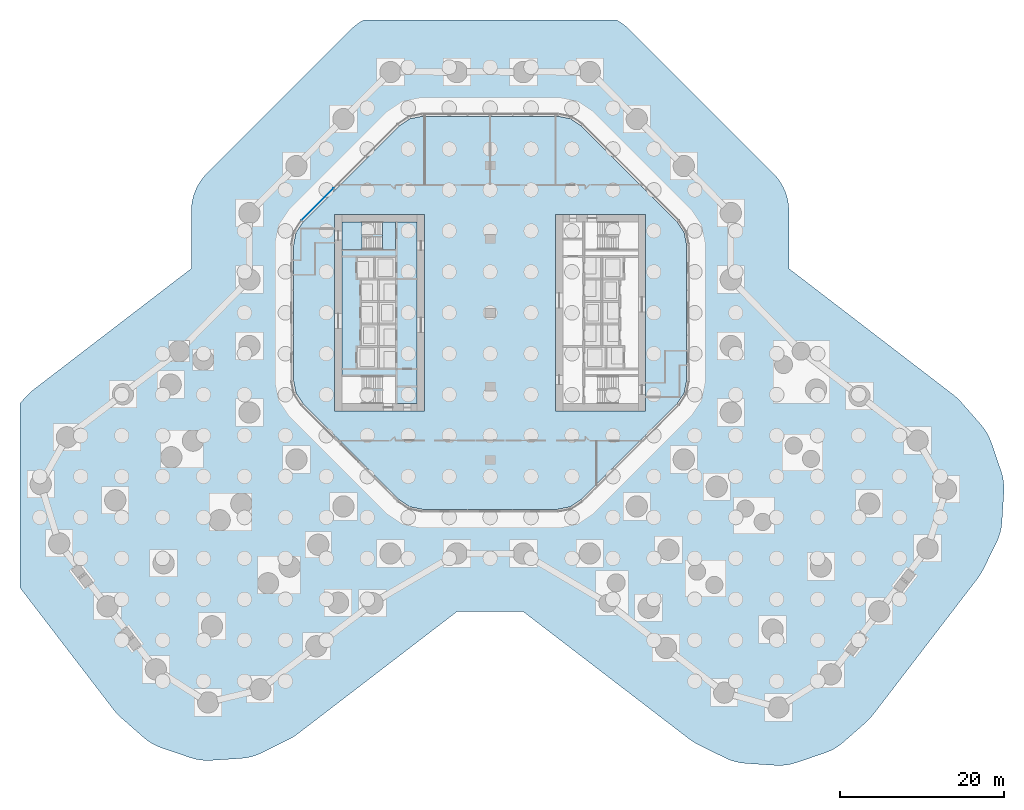
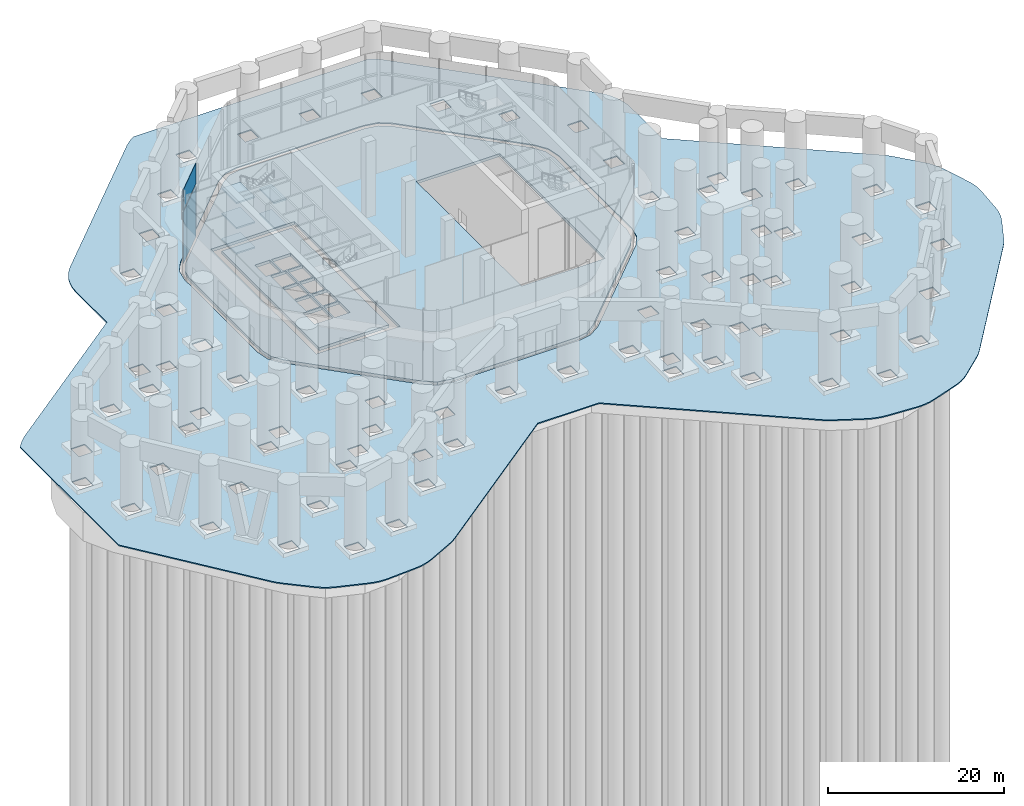
# One storey, part 20 of 31: 8 slabs, 2 plates, 2 elements without a shape of their own.
"""IFC4 building model written with IfcOpenShell, lengths in metres."""

from ifc_helpers import new_model, si_unit, direction, frame, origin, origin_2d, place, context, subcontext, project, spatial, polyline, rectangle, outline, extrude, material, layer, layer_set, type_object, element, aggregate, save


model = new_model("IFC4")

# Units and contexts
model_context = context("Model", 3, precision=1e-05, world=origin(), true_north=direction((0.0, 1.0)))
body_context = subcontext(model_context, "Body", "Model", "MODEL_VIEW")
ifc_project = project(units=[si_unit("LENGTHUNIT", "METRE"), si_unit("AREAUNIT", "SQUARE_METRE"), si_unit("VOLUMEUNIT", "CUBIC_METRE"), si_unit("PLANEANGLEUNIT", "RADIAN"), si_unit("MASSUNIT", "GRAM", prefix="KILO")], contexts=[model_context])

# Site, building, storey
site_placement = place(None, origin())
site = spatial("IfcSite", under=ifc_project, at=site_placement, CompositionType="ELEMENT")
building_placement = place(site_placement, origin())
building = spatial("IfcBuilding", under=site, at=building_placement, Name="Orlundy Tower", CompositionType="ELEMENT")
storey_placement = place(building_placement, origin())
storey = spatial("IfcBuildingStorey", under=building, at=storey_placement, Name="L00", CompositionType="ELEMENT", Elevation=0.0)

# Curtain wall, plates
ifc_material_1 = material(Name="Aluminium bronze anodised", Category="aluminium")
curtain_wall_type = type_object("IfcCurtainWallType", Name="CW3 wall", PredefinedType="NOTDEFINED", material=ifc_material_1)
curtain_wall_placement = place(storey_placement, origin())
curtain_wall = element("IfcCurtainWall", 1, at=curtain_wall_placement, inside=storey, type_object=curtain_wall_type, Name="CW3 run 08", PredefinedType="NOTDEFINED")
ifc_material_2 = material(Name="Tinted glass", Category="glass")
ifc_layer_1 = layer(ifc_material_2, 0.02490234375)
ifc_layer_set_1 = layer_set([ifc_layer_1], Name="CW3 glass panel 25")
plate_type = type_object("IfcPlateType", Name="CW3 glass panel 25", PredefinedType="CURTAIN_PANEL", material=ifc_layer_set_1)
plate_1_placement = place(storey_placement, frame((-21.08203125, 13.2646484375, -0.2001953125), z_axis=(0.0, 0.0, 1.0), x_axis=(0.707106781187, 0.707106781187, 0.0)))
plate_1 = element("IfcPlate", 2, at=plate_1_placement, type_object=plate_type, Name="CW3 panel", PredefinedType="CURTAIN_PANEL", context=body_context, shape_type="SweptSolid", body=[
    extrude(rectangle(XDim=5.513427734375, YDim=0.02490234375, at=origin_2d()), origin(), (0.0, 0.0, 1.0), 7.199951171875),
])
plate_2_placement = place(storey_placement, frame((-21.08203125, 13.2646484375, 7.199951171875), z_axis=(0.0, 0.0, 1.0), x_axis=(0.707106781187, 0.707106781187, 0.0)))
plate_2 = element("IfcPlate", 3, at=plate_2_placement, type_object=plate_type, Name="CW3 panel", PredefinedType="CURTAIN_PANEL", context=body_context, shape_type="SweptSolid", body=[
    extrude(rectangle(XDim=5.513427734375, YDim=0.02490234375, at=origin_2d()), origin(), (0.0, 0.0, 1.0), 2.89990234375),
])
aggregate(curtain_wall, [plate_1, plate_2])

# Slab
ifc_material_3 = material(Name="Concrete C50/60", Category="concrete")
ifc_layer_2 = layer(ifc_material_3, 0.409912109375)
ifc_layer_set_2 = layer_set([ifc_layer_2], Name="Core Floor Slab 410")
slab_type_1 = type_object("IfcSlabType", Name="Core Floor Slab 410", PredefinedType="FLOOR", material=ifc_layer_set_2)
slab_1_placement = place(storey_placement, frame((0.0, 0.0, -0.409912109375)))
element("IfcSlab", 4, at=slab_1_placement, inside=storey, type_object=slab_type_1, Name="Core floor W01", PredefinedType="FLOOR", context=body_context, shape_type="SweptSolid", body=[
    extrude(outline(polyline([(-18.10009765625, 11.10009765625), (-8.89990234375, 11.10009765625), (-8.89990234375, -11.10009765625), (-18.10009765625, -11.10009765625), (-18.10009765625, 11.10009765625)]), holes=[polyline([(-13.5400390625, -4.22509765625), (-13.5400390625, -6.77490234375), (-11.5400390625, -6.77490234375), (-11.5400390625, -4.22509765625), (-13.5400390625, -4.22509765625)]), polyline([(-13.739990234375, -4.22509765625), (-16.239990234375, -4.22509765625), (-16.239990234375, -6.77490234375), (-13.739990234375, -6.77490234375), (-13.739990234375, -4.22509765625)]), polyline([(-11.5400390625, -4.02490234375), (-11.5400390625, -1.47509765625), (-13.5400390625, -1.47509765625), (-13.5400390625, -4.02490234375), (-11.5400390625, -4.02490234375)]), polyline([(-15.739990234375, -4.02490234375), (-13.739990234375, -4.02490234375), (-13.739990234375, -1.47509765625), (-15.739990234375, -1.47509765625), (-15.739990234375, -4.02490234375)]), polyline([(-13.5400390625, 1.27490234375), (-13.5400390625, -1.27490234375), (-11.5400390625, -1.27490234375), (-11.5400390625, 1.27490234375), (-13.5400390625, 1.27490234375)]), polyline([(-13.739990234375, 1.27490234375), (-15.739990234375, 1.27490234375), (-15.739990234375, -1.27490234375), (-13.739990234375, -1.27490234375), (-13.739990234375, 1.27490234375)]), polyline([(-11.5400390625, 1.47509765625), (-11.5400390625, 4.02490234375), (-13.5400390625, 4.02490234375), (-13.5400390625, 1.47509765625), (-11.5400390625, 1.47509765625)]), polyline([(-15.739990234375, 1.47509765625), (-13.739990234375, 1.47509765625), (-13.739990234375, 4.02490234375), (-15.739990234375, 4.02490234375), (-15.739990234375, 1.47509765625)]), polyline([(-14.0400390625, 6.77490234375), (-14.0400390625, 4.22509765625), (-11.5400390625, 4.22509765625), (-11.5400390625, 6.77490234375), (-14.0400390625, 6.77490234375)]), polyline([(-14.239990234375, 6.77490234375), (-16.239990234375, 6.77490234375), (-16.239990234375, 4.22509765625), (-14.239990234375, 4.22509765625), (-14.239990234375, 6.77490234375)])]), origin(), (0.0, 0.0, 1.0), 0.409912109375),
])

# Stair, slabs
ifc_material_4 = material(Name="Concrete C50/60", Category="concrete")
stair_type = type_object("IfcStairType", Name="Exit Stair 60 risers", PredefinedType="HALF_TURN_STAIR", material=ifc_material_4)
stair_placement = place(storey_placement, origin())
stair = element("IfcStair", 5, at=stair_placement, inside=storey, type_object=stair_type, Name="L00 Exit Stair ST-W1", PredefinedType="HALF_TURN_STAIR")
ifc_material_5 = material(Name="Concrete C50/60", Category="concrete")
ifc_layer_3 = layer(ifc_material_5, 0.199951171875)
ifc_layer_set_3 = layer_set([ifc_layer_3], Name="Exit Stair Landing")
slab_type_2 = type_object("IfcSlabType", Name="Exit Stair Landing", PredefinedType="LANDING", material=ifc_layer_set_3)
slab_2_placement = place(storey_placement, frame((0.0, 0.0, 1.550048828125)))
slab_2 = element("IfcSlab", 6, at=slab_2_placement, type_object=slab_type_2, Name="ST-W1 landing 1", PredefinedType="LANDING", context=body_context, shape_type="SweptSolid", body=[
    extrude(outline(polyline([(-15.659912109375, 11.10009765625), (-18.10009765625, 11.10009765625), (-18.10009765625, 7.75), (-15.659912109375, 7.75), (-15.659912109375, 11.10009765625)])), origin(), (0.0, 0.0, 1.0), 0.199951171875),
])
slab_3_placement = place(storey_placement, frame((0.0, 0.0, 3.300048828125)))
slab_3 = element("IfcSlab", 7, at=slab_3_placement, type_object=slab_type_2, Name="ST-W1 landing 2", PredefinedType="LANDING", context=body_context, shape_type="SweptSolid", body=[
    extrude(outline(polyline([(-11.5400390625, 11.10009765625), (-13.139892578125, 11.10009765625), (-13.139892578125, 7.75), (-11.5400390625, 7.75), (-11.5400390625, 11.10009765625)])), origin(), (0.0, 0.0, 1.0), 0.199951171875),
])
slab_4_placement = place(storey_placement, frame((0.0, 0.0, 5.050048828125)))
slab_4 = element("IfcSlab", 8, at=slab_4_placement, type_object=slab_type_2, Name="ST-W1 landing 3", PredefinedType="LANDING", context=body_context, shape_type="SweptSolid", body=[
    extrude(outline(polyline([(-15.659912109375, 11.10009765625), (-18.10009765625, 11.10009765625), (-18.10009765625, 7.75), (-15.659912109375, 7.75), (-15.659912109375, 11.10009765625)])), origin(), (0.0, 0.0, 1.0), 0.199951171875),
])
slab_5_placement = place(storey_placement, frame((0.0, 0.0, 6.800048828125)))
slab_5 = element("IfcSlab", 9, at=slab_5_placement, type_object=slab_type_2, Name="ST-W1 landing 4", PredefinedType="LANDING", context=body_context, shape_type="SweptSolid", body=[
    extrude(outline(polyline([(-11.5400390625, 11.10009765625), (-13.139892578125, 11.10009765625), (-13.139892578125, 7.75), (-11.5400390625, 7.75), (-11.5400390625, 11.10009765625)])), origin(), (0.0, 0.0, 1.0), 0.199951171875),
])
slab_6_placement = place(storey_placement, frame((0.0, 0.0, 8.550048828125)))
slab_6 = element("IfcSlab", 10, at=slab_6_placement, type_object=slab_type_2, Name="ST-W1 landing 5", PredefinedType="LANDING", context=body_context, shape_type="SweptSolid", body=[
    extrude(outline(polyline([(-15.659912109375, 11.10009765625), (-18.10009765625, 11.10009765625), (-18.10009765625, 7.75), (-15.659912109375, 7.75), (-15.659912109375, 11.10009765625)])), origin(), (0.0, 0.0, 1.0), 0.199951171875),
])
aggregate(stair, [slab_2, slab_3, slab_4, slab_5, slab_6])

# Slabs
ifc_material_6 = material(Name="Concrete C45/55", Category="concrete")
ifc_layer_4 = layer(ifc_material_6, 0.39990234375)
ifc_layer_set_4 = layer_set([ifc_layer_4], Name="GROUND SLAB 400 C45/55")
slab_type_3 = type_object("IfcSlabType", Name="GROUND SLAB 400 C45/55", PredefinedType="BASESLAB", material=ifc_layer_set_4)
slab_7_placement = place(storey_placement, frame((0.0, 0.0, -0.39990234375)))
element("IfcSlab", 11, at=slab_7_placement, inside=storey, type_object=slab_type_3, Name="Floor slab L00", PredefinedType="BASESLAB", context=body_context, shape_type="SweptSolid", body=[
    extrude(outline(polyline([(-9.81494140625, -23.696044921875), (-11.112060546875, -22.827880859375), (-22.827880859375, -11.112060546875), (-23.696044921875, -9.81494140625), (-24.0, -8.283935546875), (-24.0, 8.283935546875), (-23.696044921875, 9.81494140625), (-22.827880859375, 11.112060546875), (-11.112060546875, 22.827880859375), (-9.81494140625, 23.696044921875), (-8.283935546875, 24.0), (8.283935546875, 24.0), (9.81494140625, 23.696044921875), (11.112060546875, 22.827880859375), (22.827880859375, 11.112060546875), (23.696044921875, 9.81494140625), (24.0, 8.283935546875), (24.0, -8.283935546875), (23.696044921875, -9.81494140625), (22.827880859375, -11.112060546875), (11.112060546875, -22.827880859375), (9.81494140625, -23.696044921875), (8.283935546875, -24.0), (-8.283935546875, -24.0), (-9.81494140625, -23.696044921875)]), holes=[polyline([(-8.0, -12.0), (-8.0, 12.0), (-19.0, 12.0), (-19.0, -12.0), (-8.0, -12.0)]), polyline([(19.0, -12.0), (19.0, 12.0), (8.0, 12.0), (8.0, -12.0), (19.0, -12.0)])]), origin(), (0.0, 0.0, 1.0), 0.39990234375),
])
ifc_material_7 = material(Name="Granite paving", Category="masonry")
ifc_layer_5 = layer(ifc_material_7, 0.14990234375)
ifc_layer_set_5 = layer_set([ifc_layer_5], Name="PAVING plaza")
slab_type_4 = type_object("IfcSlabType", Name="PAVING plaza", PredefinedType="USERDEFINED", material=ifc_layer_set_5)
slab_8_placement = place(storey_placement, frame((0.0, 0.0, -0.14990234375)))
element("IfcSlab", 12, at=slab_8_placement, inside=storey, type_object=slab_type_4, Name="PAVING plaza", ObjectType="PAVING", PredefinedType="USERDEFINED", context=body_context, shape_type="SweptSolid", body=[
    extrude(outline(polyline([(-24.05908203125, -51.824951171875), (-24.616943359375, -52.134033203125), (-27.94189453125, -53.77392578125), (-28.527099609375, -54.028076171875), (-29.135009765625, -54.22412109375), (-29.759033203125, -54.35791015625), (-30.39306640625, -54.430908203125), (-34.092041015625, -54.673095703125), (-34.72900390625, -54.68408203125), (-35.364013671875, -54.631103515625), (-35.991943359375, -54.51708984375), (-36.60498046875, -54.342041015625), (-40.114990234375, -53.15087890625), (-40.7080078125, -52.9169921875), (-41.27587890625, -52.625), (-41.81201171875, -52.280029296875), (-42.31201171875, -51.883056640625), (-45.09912109375, -49.43896484375), (-45.556884765625, -48.9951171875), (-45.969970703125, -48.509033203125), (-57.419921875, -33.5869140625), (-57.419921875, -11.072021484375), (-56.72998046875, -10.284912109375), (-56.285888671875, -9.826904296875), (-55.800048828125, -9.4140625), (-36.5, 5.39501953125), (-36.5, 12.426025390625), (-36.468994140625, 13.06298828125), (-36.375, 13.694091796875), (-36.219970703125, 14.31298828125), (-36.0048828125, 14.9130859375), (-35.73193359375, 15.489990234375), (-35.405029296875, 16.037109375), (-35.02490234375, 16.550048828125), (-34.595947265625, 17.02197265625), (-17.02197265625, 34.595947265625), (-16.550048828125, 35.02490234375), (-16.037109375, 35.405029296875), (-15.489990234375, 35.73193359375), (-15.430908203125, 35.760009765625), (15.430908203125, 35.760009765625), (15.489990234375, 35.73193359375), (16.037109375, 35.405029296875), (16.550048828125, 35.02490234375), (17.02197265625, 34.595947265625), (34.595947265625, 17.02197265625), (35.02490234375, 16.550048828125), (35.405029296875, 16.037109375), (35.73193359375, 15.489990234375), (36.0048828125, 14.9130859375), (36.219970703125, 14.31298828125), (36.375, 13.694091796875), (36.468994140625, 13.06298828125), (36.5, 12.426025390625), (36.5, 5.39501953125), (56.593017578125, -10.02294921875), (57.0791015625, -10.43603515625), (57.52294921875, -10.89404296875), (59.967041015625, -13.680908203125), (60.363037109375, -14.180908203125), (60.708984375, -14.717041015625), (61.0, -15.283935546875), (61.235107421875, -15.876953125), (62.427001953125, -19.386962890625), (62.60205078125, -20.0009765625), (62.716064453125, -20.62890625), (62.76904296875, -21.264892578125), (62.758056640625, -21.903076171875), (62.514892578125, -25.60107421875), (62.44189453125, -26.23388671875), (62.30810546875, -26.85693359375), (62.113037109375, -27.464111328125), (61.85888671875, -28.049072265625), (60.219970703125, -31.3740234375), (59.909912109375, -31.931884765625), (59.547119140625, -32.45703125), (46.762939453125, -49.116943359375), (46.35009765625, -49.60302734375), (45.89208984375, -50.047119140625), (43.10498046875, -52.490966796875), (42.60498046875, -52.886962890625), (42.069091796875, -53.23291015625), (41.501953125, -53.52392578125), (40.908935546875, -53.759033203125), (37.39892578125, -54.950927734375), (36.784912109375, -55.1259765625), (36.156982421875, -55.239990234375), (35.52099609375, -55.29296875), (34.883056640625, -55.281982421875), (31.18408203125, -55.0390625), (30.551025390625, -54.966064453125), (29.927001953125, -54.8310546875), (29.320068359375, -54.635986328125), (28.735107421875, -54.383056640625), (25.410888671875, -52.743896484375), (24.85400390625, -52.43408203125), (24.3291015625, -52.071044921875), (4.037109375, -36.5), (-4.037109375, -36.5), (-23.534912109375, -51.4619140625), (-24.05908203125, -51.824951171875)]), holes=[polyline([(-33.537109375, -48.491943359375), (-33.537109375, -46.69189453125), (-35.3369140625, -46.69189453125), (-35.3369140625, -48.491943359375), (-33.537109375, -48.491943359375)]), polyline([(-27.172119140625, -46.887939453125), (-27.172119140625, -45.087890625), (-28.971923828125, -45.087890625), (-28.971923828125, -46.887939453125), (-27.172119140625, -46.887939453125)]), polyline([(-39.924072265625, -44.451904296875), (-39.924072265625, -42.652099609375), (-41.72412109375, -42.652099609375), (-41.72412109375, -44.451904296875), (-39.924072265625, -44.451904296875)]), polyline([(-22.1201171875, -41.635986328125), (-20.320068359375, -41.635986328125), (-20.320068359375, -39.8359375), (-22.1201171875, -39.8359375), (-22.1201171875, -41.635986328125)]), polyline([(-34.8740234375, -39.196044921875), (-33.073974609375, -39.196044921875), (-33.073974609375, -37.39599609375), (-34.8740234375, -37.39599609375), (-34.8740234375, -39.196044921875)]), polyline([(-45.8291015625, -36.756103515625), (-45.8291015625, -34.9560546875), (-47.62890625, -34.9560546875), (-47.62890625, -36.756103515625), (-45.8291015625, -36.756103515625)]), polyline([(-26.22509765625, -33.93994140625), (-26.22509765625, -32.139892578125), (-28.02490234375, -32.139892578125), (-28.02490234375, -33.93994140625), (-26.22509765625, -33.93994140625)]), polyline([(-23.580078125, -31.910888671875), (-23.580078125, -30.111083984375), (-25.3798828125, -30.111083984375), (-25.3798828125, -31.910888671875), (-23.580078125, -31.910888671875)]), polyline([(-40.779052734375, -31.5), (-38.97900390625, -31.5), (-38.97900390625, -29.699951171875), (-40.779052734375, -29.699951171875), (-40.779052734375, -31.5)]), polyline([(-21.889892578125, -29.23291015625), (-20.090087890625, -29.23291015625), (-20.090087890625, -27.43310546875), (-21.889892578125, -27.43310546875), (-21.889892578125, -29.23291015625)]), polyline([(-51.73291015625, -29.06103515625), (-51.73291015625, -27.260986328125), (-53.532958984375, -27.260986328125), (-53.532958984375, -29.06103515625), (-51.73291015625, -29.06103515625)]), polyline([(-32.1298828125, -26.2451171875), (-32.1298828125, -24.445068359375), (-33.929931640625, -24.445068359375), (-33.929931640625, -26.2451171875), (-32.1298828125, -26.2451171875)]), polyline([(-29.485107421875, -24.216064453125), (-29.485107421875, -22.416015625), (-31.284912109375, -22.416015625), (-31.284912109375, -24.216064453125), (-29.485107421875, -24.216064453125)]), polyline([(-46.68408203125, -23.804931640625), (-44.884033203125, -23.804931640625), (-44.884033203125, -22.0048828125), (-46.68408203125, -22.0048828125), (-46.68408203125, -23.804931640625)]), polyline([(-55.783935546875, -21.845947265625), (-53.98388671875, -21.845947265625), (-53.98388671875, -20.0458984375), (-55.783935546875, -20.0458984375), (-55.783935546875, -21.845947265625)]), polyline([(-22.759033203125, -18.819091796875), (-22.759033203125, -17.01904296875), (-24.55908203125, -17.01904296875), (-24.55908203125, -18.819091796875), (-22.759033203125, -18.819091796875)]), polyline([(-38.034912109375, -18.549072265625), (-38.034912109375, -16.7490234375), (-39.8349609375, -16.7490234375), (-39.8349609375, -18.549072265625), (-38.034912109375, -18.549072265625)]), polyline([(-35.389892578125, -16.52001953125), (-35.389892578125, -14.719970703125), (-37.18994140625, -14.719970703125), (-37.18994140625, -16.52001953125), (-35.389892578125, -16.52001953125)]), polyline([(-52.5869140625, -16.112060546875), (-50.787109375, -16.112060546875), (-50.787109375, -14.31201171875), (-52.5869140625, -14.31201171875), (-52.5869140625, -16.112060546875)]), polyline([(-30.300048828125, -13.077880859375), (-28.5, -13.077880859375), (-28.5, -11.278076171875), (-30.300048828125, -11.278076171875), (-30.300048828125, -13.077880859375)]), polyline([(-43.93994140625, -10.85400390625), (-43.93994140625, -9.053955078125), (-45.739990234375, -9.053955078125), (-45.739990234375, -10.85400390625), (-43.93994140625, -10.85400390625)]), polyline([(-38.115966796875, -9.6708984375), (-38.115966796875, -7.87109375), (-39.916015625, -7.87109375), (-39.916015625, -9.6708984375), (-38.115966796875, -9.6708984375)]), polyline([(-34.14990234375, -6.626953125), (-34.14990234375, -4.826904296875), (-35.949951171875, -4.826904296875), (-35.949951171875, -6.626953125), (-34.14990234375, -6.626953125)]), polyline([(-38.89111328125, -5.597900390625), (-37.091064453125, -5.597900390625), (-37.091064453125, -3.798095703125), (-38.89111328125, -3.798095703125), (-38.89111328125, -5.597900390625)]), polyline([(-30.300048828125, -4.958984375), (-28.5, -4.958984375), (-28.5, -3.158935546875), (-30.300048828125, -3.158935546875), (-30.300048828125, -4.958984375)]), polyline([(-28.5, 3.158935546875), (-28.5, 4.958984375), (-30.300048828125, 4.958984375), (-30.300048828125, 3.158935546875), (-28.5, 3.158935546875)]), polyline([(-28.5, 11.278076171875), (-28.5, 13.077880859375), (-30.300048828125, 13.077880859375), (-30.300048828125, 11.278076171875), (-28.5, 11.278076171875)]), polyline([(-22.759033203125, 17.01904296875), (-22.759033203125, 18.819091796875), (-24.55908203125, 18.819091796875), (-24.55908203125, 17.01904296875), (-22.759033203125, 17.01904296875)]), polyline([(20.583984375, -41.839111328125), (22.384033203125, -41.839111328125), (22.384033203125, -40.0390625), (20.583984375, -40.0390625), (20.583984375, -41.839111328125)]), polyline([(18.464111328125, -36.926025390625), (20.263916015625, -36.926025390625), (20.263916015625, -35.1259765625), (18.464111328125, -35.1259765625), (18.464111328125, -36.926025390625)]), polyline([(-13.470947265625, -36.3798828125), (-13.470947265625, -34.580078125), (-15.27099609375, -34.580078125), (-15.27099609375, -36.3798828125), (-13.470947265625, -36.3798828125)]), polyline([(15.27099609375, -36.3798828125), (15.27099609375, -34.580078125), (13.470947265625, -34.580078125), (13.470947265625, -36.3798828125), (15.27099609375, -36.3798828125)]), polyline([(-17.669921875, -36.31689453125), (-17.669921875, -34.51708984375), (-19.469970703125, -34.51708984375), (-19.469970703125, -36.31689453125), (-17.669921875, -36.31689453125)]), polyline([(14.4970703125, -33.882080078125), (16.297119140625, -33.882080078125), (16.297119140625, -32.08203125), (14.4970703125, -32.08203125), (14.4970703125, -33.882080078125)]), polyline([(-13.077880859375, -30.300048828125), (-11.278076171875, -30.300048828125), (-11.278076171875, -28.5), (-13.077880859375, -28.5), (-13.077880859375, -30.300048828125)]), polyline([(-3.158935546875, -30.300048828125), (-3.158935546875, -28.5), (-4.958984375, -28.5), (-4.958984375, -30.300048828125), (-3.158935546875, -30.300048828125)]), polyline([(11.278076171875, -30.300048828125), (13.077880859375, -30.300048828125), (13.077880859375, -28.5), (11.278076171875, -28.5), (11.278076171875, -30.300048828125)]), polyline([(3.158935546875, -30.300048828125), (4.958984375, -30.300048828125), (4.958984375, -28.5), (3.158935546875, -28.5), (3.158935546875, -30.300048828125)]), polyline([(22.68310546875, -29.841064453125), (22.68310546875, -28.041015625), (20.883056640625, -28.041015625), (20.883056640625, -29.841064453125), (22.68310546875, -29.841064453125)]), polyline([(-18.819091796875, -24.55908203125), (-17.01904296875, -24.55908203125), (-17.01904296875, -22.759033203125), (-18.819091796875, -22.759033203125), (-18.819091796875, -24.55908203125)]), polyline([(17.01904296875, -24.55908203125), (18.819091796875, -24.55908203125), (18.819091796875, -22.759033203125), (17.01904296875, -22.759033203125), (17.01904296875, -24.55908203125)]), polyline([(24.55908203125, -18.819091796875), (24.55908203125, -17.01904296875), (22.759033203125, -17.01904296875), (22.759033203125, -18.819091796875), (24.55908203125, -18.819091796875)]), polyline([(-24.260986328125, -10.049072265625), (-23.2939453125, -11.4951171875), (-11.4951171875, -23.2939453125), (-10.049072265625, -24.260986328125), (-8.343017578125, -24.60009765625), (8.343017578125, -24.60009765625), (10.049072265625, -24.260986328125), (11.4951171875, -23.2939453125), (23.2939453125, -11.4951171875), (24.260986328125, -10.049072265625), (24.60009765625, -8.343017578125), (24.60009765625, 8.343017578125), (24.260986328125, 10.049072265625), (23.2939453125, 11.4951171875), (11.4951171875, 23.2939453125), (10.049072265625, 24.260986328125), (8.343017578125, 24.60009765625), (-8.343017578125, 24.60009765625), (-10.049072265625, 24.260986328125), (-11.4951171875, 23.2939453125), (-23.2939453125, 11.4951171875), (-24.260986328125, 10.049072265625), (-24.60009765625, 8.343017578125), (-24.60009765625, -8.343017578125), (-24.260986328125, -10.049072265625)]), polyline([(17.01904296875, 22.759033203125), (18.819091796875, 22.759033203125), (18.819091796875, 24.55908203125), (17.01904296875, 24.55908203125), (17.01904296875, 22.759033203125)]), polyline([(-17.01904296875, 22.759033203125), (-17.01904296875, 24.55908203125), (-18.819091796875, 24.55908203125), (-18.819091796875, 22.759033203125), (-17.01904296875, 22.759033203125)]), polyline([(4.958984375, 28.5), (4.958984375, 30.300048828125), (3.158935546875, 30.300048828125), (3.158935546875, 28.5), (4.958984375, 28.5)]), polyline([(13.077880859375, 28.5), (13.077880859375, 30.300048828125), (11.278076171875, 30.300048828125), (11.278076171875, 28.5), (13.077880859375, 28.5)]), polyline([(-4.958984375, 28.5), (-3.158935546875, 28.5), (-3.158935546875, 30.300048828125), (-4.958984375, 30.300048828125), (-4.958984375, 28.5)]), polyline([(-13.077880859375, 28.5), (-11.278076171875, 28.5), (-11.278076171875, 30.300048828125), (-13.077880859375, 30.300048828125), (-13.077880859375, 28.5)]), polyline([(36.131103515625, -49.10107421875), (36.131103515625, -47.301025390625), (34.3310546875, -47.301025390625), (34.3310546875, -49.10107421875), (36.131103515625, -49.10107421875)]), polyline([(29.498046875, -47.297119140625), (29.498046875, -45.4970703125), (27.697998046875, -45.4970703125), (27.697998046875, -47.297119140625), (29.498046875, -47.297119140625)]), polyline([(42.51708984375, -45.06005859375), (42.51708984375, -43.260009765625), (40.717041015625, -43.260009765625), (40.717041015625, -45.06005859375), (42.51708984375, -45.06005859375)]), polyline([(33.60302734375, -39.60205078125), (35.403076171875, -39.60205078125), (35.403076171875, -37.802001953125), (33.60302734375, -37.802001953125), (33.60302734375, -39.60205078125)]), polyline([(46.6220703125, -37.364990234375), (48.422119140625, -37.364990234375), (48.422119140625, -35.56494140625), (46.6220703125, -35.56494140625), (46.6220703125, -37.364990234375)]), polyline([(28.2890625, -34.14306640625), (28.2890625, -32.343017578125), (26.489013671875, -32.343017578125), (26.489013671875, -34.14306640625), (28.2890625, -34.14306640625)]), polyline([(26.174072265625, -32.52001953125), (26.174072265625, -30.719970703125), (24.3740234375, -30.719970703125), (24.3740234375, -32.52001953125), (26.174072265625, -32.52001953125)]), polyline([(41.30810546875, -31.906005859375), (41.30810546875, -30.10595703125), (39.508056640625, -30.10595703125), (39.508056640625, -31.906005859375), (41.30810546875, -31.906005859375)]), polyline([(52.527099609375, -29.6689453125), (54.326904296875, -29.6689453125), (54.326904296875, -27.868896484375), (52.527099609375, -27.868896484375), (52.527099609375, -29.6689453125)]), polyline([(32.39404296875, -26.447998046875), (34.194091796875, -26.447998046875), (34.194091796875, -24.64794921875), (32.39404296875, -24.64794921875), (32.39404296875, -26.447998046875)]), polyline([(32.0791015625, -24.823974609375), (32.0791015625, -23.02392578125), (30.279052734375, -23.02392578125), (30.279052734375, -24.823974609375), (32.0791015625, -24.823974609375)]), polyline([(47.212890625, -24.2109375), (47.212890625, -22.410888671875), (45.4130859375, -22.410888671875), (45.4130859375, -24.2109375), (47.212890625, -24.2109375)]), polyline([(56.576904296875, -22.455078125), (56.576904296875, -20.655029296875), (54.777099609375, -20.655029296875), (54.777099609375, -22.455078125), (56.576904296875, -22.455078125)]), polyline([(26.7880859375, -22.14599609375), (28.587890625, -22.14599609375), (28.587890625, -20.345947265625), (26.7880859375, -20.345947265625), (26.7880859375, -22.14599609375)]), polyline([(38.299072265625, -18.751953125), (40.09912109375, -18.751953125), (40.09912109375, -16.951904296875), (38.299072265625, -16.951904296875), (38.299072265625, -18.751953125)]), polyline([(37.98388671875, -17.12890625), (37.98388671875, -15.3291015625), (36.18408203125, -15.3291015625), (36.18408203125, -17.12890625), (37.98388671875, -17.12890625)]), polyline([(53.117919921875, -16.514892578125), (53.117919921875, -14.715087890625), (51.318115234375, -14.715087890625), (51.318115234375, -16.514892578125), (53.117919921875, -16.514892578125)]), polyline([(30.300048828125, -13.077880859375), (30.300048828125, -11.278076171875), (28.5, -11.278076171875), (28.5, -13.077880859375), (30.300048828125, -13.077880859375)]), polyline([(44.2041015625, -11.056884765625), (46.00390625, -11.056884765625), (46.00390625, -9.257080078125), (44.2041015625, -9.257080078125), (44.2041015625, -11.056884765625)]), polyline([(38.909912109375, -10.280029296875), (40.7099609375, -10.280029296875), (40.7099609375, -8.47998046875), (38.909912109375, -8.47998046875), (38.909912109375, -10.280029296875)]), polyline([(36.742919921875, -7.236083984375), (36.742919921875, -5.43603515625), (34.943115234375, -5.43603515625), (34.943115234375, -7.236083984375), (36.742919921875, -7.236083984375)]), polyline([(37.091064453125, -5.597900390625), (38.89111328125, -5.597900390625), (38.89111328125, -3.798095703125), (37.091064453125, -3.798095703125), (37.091064453125, -5.597900390625)]), polyline([(28.5, -4.958984375), (30.300048828125, -4.958984375), (30.300048828125, -3.158935546875), (28.5, -3.158935546875), (28.5, -4.958984375)]), polyline([(30.300048828125, 3.158935546875), (30.300048828125, 4.958984375), (28.5, 4.958984375), (28.5, 3.158935546875), (30.300048828125, 3.158935546875)]), polyline([(28.5, 11.278076171875), (30.300048828125, 11.278076171875), (30.300048828125, 13.077880859375), (28.5, 13.077880859375), (28.5, 11.278076171875)]), polyline([(22.759033203125, 17.01904296875), (24.55908203125, 17.01904296875), (24.55908203125, 18.819091796875), (22.759033203125, 18.819091796875), (22.759033203125, 17.01904296875)])]), origin(), (0.0, 0.0, 1.0), 0.14990234375),
])

save(model, "model.ifc")
